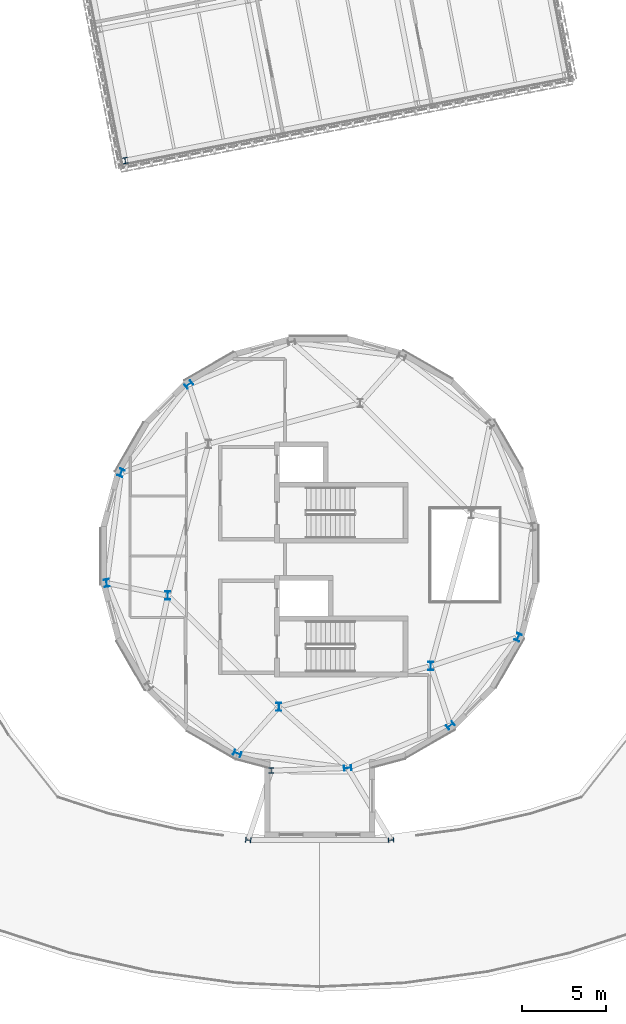
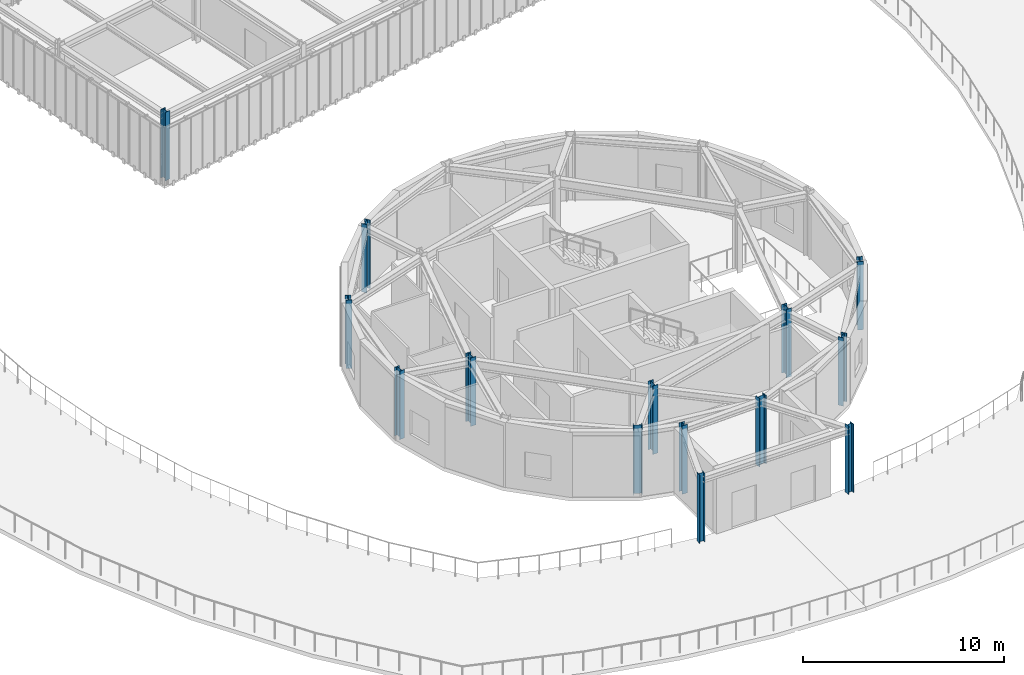
# One storey, part 3 of 59: 14 columns.
"""IFC4 building model written with IfcOpenShell, lengths in metres."""

from ifc_helpers import new_model, si_unit, direction, frame, origin, origin_2d, place, context, subcontext, project, spatial, i_section, extrude, material, material_profile, profile_set, type_object, element, save


model = new_model("IFC4")

# Units and contexts
model_context = context("Model", 3, precision=1e-05, world=origin(), true_north=direction((0.0, 1.0)))
body_context = subcontext(model_context, "Body", "Model", "MODEL_VIEW")
ifc_project = project(units=[si_unit("LENGTHUNIT", "METRE"), si_unit("AREAUNIT", "SQUARE_METRE"), si_unit("VOLUMEUNIT", "CUBIC_METRE"), si_unit("PLANEANGLEUNIT", "RADIAN"), si_unit("MASSUNIT", "GRAM", prefix="KILO")], contexts=[model_context])

# Site, building, storey
site_placement = place(None, origin())
site = spatial("IfcSite", under=ifc_project, at=site_placement, CompositionType="ELEMENT")
building_placement = place(site_placement, origin())
building = spatial("IfcBuilding", under=site, at=building_placement, Name="Varnklinge Art Gallery", CompositionType="ELEMENT")
storey_placement = place(building_placement, frame((0.0, 0.0, 9.52001953125)))
storey = spatial("IfcBuildingStorey", under=building, at=storey_placement, Name="L02", CompositionType="ELEMENT", Elevation=9.52001953125)

# Columns
ifc_material_1 = material(Name="Steel S355", Category="steel")
ifc_material_profile_1 = material_profile(ifc_material_1, i_section(OverallWidth=0.300048828125, OverallDepth=0.5, WebThickness=0.014404296875, FlangeThickness=0.028076171875, FilletRadius=0.027099609375, at=origin_2d()), Name="HEB 500")
ifc_profile_set_1 = profile_set([ifc_material_profile_1], Name="Steel S355")
column_type_1 = type_object("IfcColumnType", Name="COL-05", PredefinedType="COLUMN", material=ifc_profile_set_1)
for number, where, z_axis, x_axis, name in (
    (1, (66.42041015625, 36.067138671875, 0.0), (0.0, 0.0, 1.0), (1.0, 0.0, 0.0), "L02 Column V4CI-4"),
    (2, (73.067138671875, 29.42041015625, 0.0), (0.0, 0.0, 1.0), (1.0, 0.0, 0.0), "L02 Column V4CI-5"),
    (3, (82.146728515625, 31.853271484375, 0.0), (0.0, 0.0, 1.0), (1.0, 0.0, 0.0), "L02 Column V4CI-6"),
):
    element("IfcColumn", number, at=place(storey_placement, frame(where, z_axis=z_axis, x_axis=x_axis)), inside=storey, type_object=column_type_1, Name=name, PredefinedType="COLUMN", context=body_context, shape_type="SweptSolid", body=[
        extrude(i_section(OverallWidth=0.300048828125, OverallDepth=0.5, WebThickness=0.014404296875, FlangeThickness=0.028076171875, FilletRadius=0.027099609375, at=origin_2d()), origin(), (0.0, 0.0, 1.0), 4.159912109375),
    ])
ifc_material_2 = material(Name="Steel S355", Category="steel")
ifc_material_profile_2 = material_profile(ifc_material_2, i_section(OverallWidth=0.300048828125, OverallDepth=0.320068359375, WebThickness=0.011474609375, FlangeThickness=0.0205078125, FilletRadius=0.027099609375, at=origin_2d()), Name="HEB 320")
ifc_profile_set_2 = profile_set([ifc_material_profile_2], Name="Steel S355")
column_type_2 = type_object("IfcColumnType", Name="COL-09", PredefinedType="COLUMN", material=ifc_profile_set_2)
for number, where, z_axis, x_axis, name in (
    (4, (71.230712890625, 21.44580078125, 0.0), (0.0, 0.0, 1.0), (0.089415810539, 0.995994383933, 0.0), "L02 Column V2CI-36"),
    (5, (79.769287109375, 21.44580078125, 0.0), (0.0, 0.0, 1.0), (-0.089415810539, 0.995994383933, 0.0), "L02 Column V2CI-38"),
    (6, (72.60009765625, 25.60009765625, 0.0), (0.0, 0.0, 1.0), (1.0, 0.0, 0.0), "L02 Column LNK-V4S-C4"),
):
    element("IfcColumn", number, at=place(storey_placement, frame(where, z_axis=z_axis, x_axis=x_axis)), inside=storey, type_object=column_type_2, Name=name, PredefinedType="COLUMN", context=body_context, shape_type="SweptSolid", body=[
        extrude(i_section(OverallWidth=0.300048828125, OverallDepth=0.320068359375, WebThickness=0.011474609375, FlangeThickness=0.0205078125, FilletRadius=0.027099609375, at=origin_2d()), origin(), (0.0, 0.0, 1.0), 4.159912109375),
    ])
ifc_material_3 = material(Name="Steel S355", Category="steel")
ifc_material_profile_3 = material_profile(ifc_material_3, i_section(OverallWidth=0.300048828125, OverallDepth=0.449951171875, WebThickness=0.013916015625, FlangeThickness=0.02587890625, FilletRadius=0.027099609375, at=origin_2d()), Name="HEB 450")
ifc_profile_set_3 = profile_set([ifc_material_profile_3], Name="Steel S355")
column_type_3 = type_object("IfcColumnType", Name="COL-E2", PredefinedType="COLUMN", material=ifc_profile_set_3)
for number, where, z_axis, x_axis, name in (
    (7, (67.677490234375, 48.694580078125, 0.0), (0.0, 0.0, 1.0), (-0.608761429009, 0.793353340291, 0.0), "L02 Column V4CP-05"),
    (8, (63.628173828125, 43.41748046875, 0.0), (0.0, 0.0, 1.0), (-0.923879532511, 0.382683432365, 0.0), "L02 Column V4CP-06"),
    (9, (62.760009765625, 36.82275390625, 0.0), (0.0, 0.0, 1.0), (-0.991444861374, -0.13052619222, 0.0), "L02 Column V4CP-07"),
    (10, (70.58251953125, 26.628173828125, 0.0), (0.0, 0.0, 1.0), (-0.382683432365, -0.923879532511, 0.0), "L02 Column V4CP-09"),
    (11, (77.17724609375, 25.760009765625, 0.0), (0.0, 0.0, 1.0), (0.13052619222, -0.991444861374, 0.0), "L02 Column V4CP-10"),
    (12, (83.322509765625, 28.305419921875, 0.0), (0.0, 0.0, 1.0), (0.608761429009, -0.793353340291, 0.0), "L02 Column V4CP-11"),
    (13, (87.371826171875, 33.58251953125, 0.0), (0.0, 0.0, 1.0), (0.923879532511, -0.382683432365, 0.0), "L02 Column V4CP-12"),
):
    element("IfcColumn", number, at=place(storey_placement, frame(where, z_axis=z_axis, x_axis=x_axis)), inside=storey, type_object=column_type_3, Name=name, PredefinedType="COLUMN", context=body_context, shape_type="SweptSolid", body=[
        extrude(i_section(OverallWidth=0.300048828125, OverallDepth=0.449951171875, WebThickness=0.013916015625, FlangeThickness=0.02587890625, FilletRadius=0.027099609375, at=origin_2d()), origin(), (0.0, 0.0, 1.0), 4.159912109375),
    ])
ifc_material_4 = material(Name="Steel S355", Category="steel")
ifc_material_profile_4 = material_profile(ifc_material_4, i_section(OverallWidth=0.300048828125, OverallDepth=0.360107421875, WebThickness=0.012451171875, FlangeThickness=0.0224609375, FilletRadius=0.027099609375, at=origin_2d()), Name="HEB 360")
ifc_profile_set_4 = profile_set([ifc_material_profile_4], Name="Steel S355")
column_type_4 = type_object("IfcColumnType", Name="COL-E4", PredefinedType="COLUMN", material=ifc_profile_set_4)
column_placement = place(storey_placement, frame((63.872802734375, 62.090087890625, 0.0), z_axis=(0.0, 0.0, 1.0), x_axis=(0.981627183448, 0.190808995377, 0.0)))
element("IfcColumn", 14, at=column_placement, inside=storey, type_object=column_type_4, Name="L02 Column V4BC-1-1", PredefinedType="COLUMN", context=body_context, shape_type="SweptSolid", body=[
    extrude(i_section(OverallWidth=0.300048828125, OverallDepth=0.360107421875, WebThickness=0.012451171875, FlangeThickness=0.0224609375, FilletRadius=0.027099609375, at=origin_2d()), origin(), (0.0, 0.0, 1.0), 4.159912109375),
])

save(model, "model.ifc")
